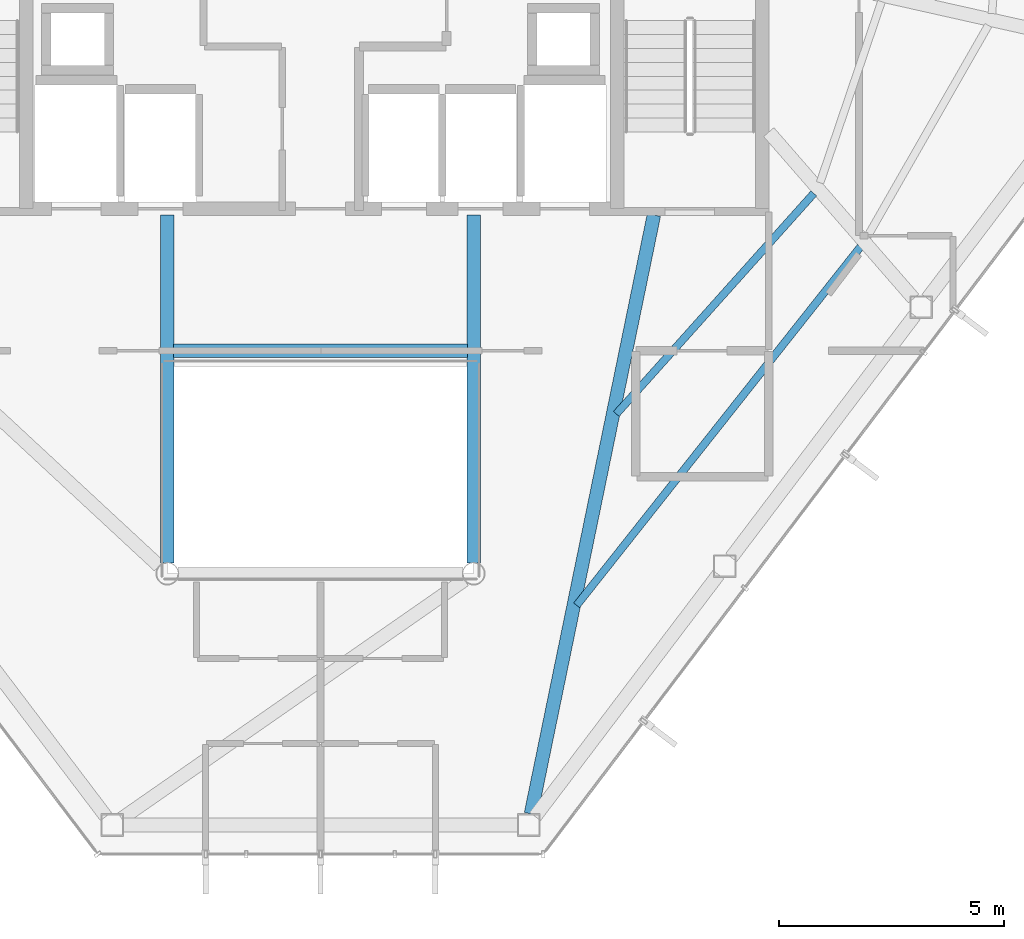
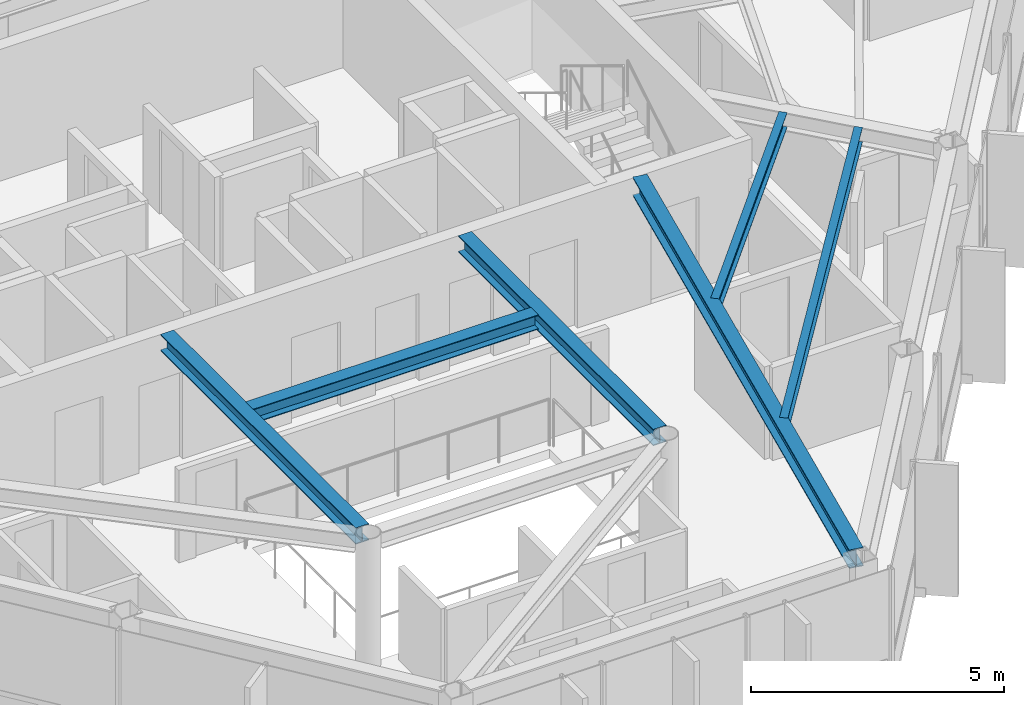
# One storey, part 7 of 26: 6 beams.
"""IFC4 building model written with IfcOpenShell, lengths in metres."""

import ifcopenshell
import ifcopenshell.guid

model = None  # the IFC model being written
_history = None  # IfcOwnerHistory: only IFC2X3 demands one
_inside = {}  # id of a spatial element -> (the spatial element, [elements in it])
_under = {}  # id of a project, library or spatial element -> (it, [spatial elements below it])
_declared = {}  # id of a project -> (the project, [libraries it declares])
_typed = {}  # id of a type object -> (the type object, [elements of that type])
_made_of = {}  # id of a material, layer set ... -> (it, [elements and type objects made of it])


def new_model(schema):
    """Start an empty IFC model of exactly this schema.

    Asked for "IFC4X3", IfcOpenShell would pick the latest addendum, in which some entities
    have other attributes; the version numbers below select the first issue.
    IFC2X3 requires an IfcOwnerHistory on every rooted entity: one is made here for all.
    """
    global model, _history
    if schema == "IFC4X3":
        model = ifcopenshell.file(schema_version=(4, 3, 0, 0))
    else:
        model = ifcopenshell.file(schema=schema)
    _inside.clear()
    _under.clear()
    _declared.clear()
    _typed.clear()
    _made_of.clear()
    _history = None
    if model.schema == "IFC2X3":
        org = make("IfcOrganization", Name="unknown")
        user = make(
            "IfcPersonAndOrganization",
            ThePerson=make("IfcPerson", FamilyName="unknown"),
            TheOrganization=org,
        )
        app = make(
            "IfcApplication",
            ApplicationDeveloper=org,
            Version="unknown",
            ApplicationFullName="unknown",
            ApplicationIdentifier="unknown",
        )
        _history = make(
            "IfcOwnerHistory",
            OwningUser=user,
            OwningApplication=app,
            ChangeAction="ADDED",
            CreationDate=0,
        )
    return model


def make(cls, **values):
    """One entity of the class cls with the attributes given. An attribute that is None is left unset."""
    return model.create_entity(
        cls, **{name: value for name, value in values.items() if value is not None}
    )


def rooted(cls, **values):
    """An entity with a GlobalId (a new one), such as an element, a storey or a relation."""
    return make(cls, GlobalId=ifcopenshell.guid.new(), OwnerHistory=_history, **values)


def si_unit(unit_type, name, prefix=None):
    """IfcSIUnit, for example si_unit("LENGTHUNIT", "METRE", prefix="MILLI")."""
    return make("IfcSIUnit", UnitType=unit_type, Prefix=prefix, Name=name)


def assignment(units):
    """IfcUnitAssignment: the units of a project."""
    return None if units is None else make("IfcUnitAssignment", Units=units)


def point(xyz):
    """IfcCartesianPoint."""
    return None if xyz is None else make("IfcCartesianPoint", Coordinates=xyz)


def direction(xyz):
    """IfcDirection."""
    return None if xyz is None else make("IfcDirection", DirectionRatios=xyz)


def frame(location, z_axis=None, x_axis=None):
    """IfcAxis2Placement3D, a coordinate frame: its origin and axes. An axis left out is left unset."""
    return make(
        "IfcAxis2Placement3D",
        Location=point(location),
        Axis=direction(z_axis),
        RefDirection=direction(x_axis),
    )


def frame_2d(location, x_axis=None):
    """IfcAxis2Placement2D, a coordinate frame in the plane: its origin and x axis."""
    return make(
        "IfcAxis2Placement2D", Location=point(location), RefDirection=direction(x_axis)
    )


def origin():
    """The frame at (0, 0, 0) with its axes left unset."""
    return frame((0.0, 0.0, 0.0))


def origin_2d():
    """The frame at (0, 0) in the plane with its x axis left unset."""
    return frame_2d((0.0, 0.0))


def place(relative_to, where):
    """IfcLocalPlacement: puts the frame where relative to a parent placement (None: the world)."""
    return make(
        "IfcLocalPlacement", PlacementRelTo=relative_to, RelativePlacement=where
    )


def context(
    kind, dimensions, precision=None, world=None, true_north=None, identifier=None
):
    """IfcGeometricRepresentationContext, for example the 3D "Model" context."""
    return make(
        "IfcGeometricRepresentationContext",
        ContextIdentifier=identifier,
        ContextType=kind,
        CoordinateSpaceDimension=dimensions,
        Precision=precision,
        WorldCoordinateSystem=world,
        TrueNorth=true_north,
    )


def subcontext(parent, identifier, kind, view, scale=None):
    """IfcGeometricRepresentationSubContext, for example "Body" below "Model"."""
    return make(
        "IfcGeometricRepresentationSubContext",
        ContextIdentifier=identifier,
        ContextType=kind,
        ParentContext=parent,
        TargetScale=scale,
        TargetView=view,
    )


def project(units=None, contexts=None):
    """IfcProject with its units and contexts."""
    return rooted(
        "IfcProject",
        Name="project",
        RepresentationContexts=contexts,
        UnitsInContext=assignment(units),
    )


def spatial(cls, under=None, at=None, **own):
    """A site, building, storey or space (cls), placed at a placement, below another one or the project."""
    s = rooted(cls, ObjectPlacement=at, **own)
    if under is not None:
        _under.setdefault(under.id(), (under, []))[1].append(s)
    return s


def profile(cls, at=None, kind="AREA", **sizes):
    """A parametric profile (cls). Its sizes go by their IFC names, for example OverallWidth=200.0."""
    return make(cls, ProfileType=kind, Position=at, **sizes)


def i_section(**sizes):
    """IfcIShapeProfileDef."""
    return profile("IfcIShapeProfileDef", **sizes)


def extrude(swept, where, along, depth):
    """IfcExtrudedAreaSolid: the profile swept, set in the frame where, extruded along a direction by depth."""
    return make(
        "IfcExtrudedAreaSolid",
        SweptArea=swept,
        Position=where,
        ExtrudedDirection=direction(along),
        Depth=depth,
    )


def shape(context_of_items, identifier, shape_type, items):
    """IfcShapeRepresentation: the items that make up one representation, for example the "Body"."""
    return make(
        "IfcShapeRepresentation",
        ContextOfItems=context_of_items,
        RepresentationIdentifier=identifier,
        RepresentationType=shape_type,
        Items=items,
    )


def material(Name=None, Category=None):
    """IfcMaterial."""
    return make("IfcMaterial", Name=Name, Category=Category)


def material_profile(
    of_material, cross_section, Name=None, Category=None, Priority=None
):
    """IfcMaterialProfile: a cross section and its material."""
    return make(
        "IfcMaterialProfile",
        Name=Name,
        Material=of_material,
        Profile=cross_section,
        Priority=Priority,
        Category=Category,
    )


def profile_set(profiles, Name=None, composite=None):
    """IfcMaterialProfileSet."""
    return make(
        "IfcMaterialProfileSet",
        Name=Name,
        MaterialProfiles=profiles,
        CompositeProfile=composite,
    )


def made_of(thing, what):
    """Note that an element or type object is made of a material, layer set ...; save() writes the relation."""
    if what is not None:
        _made_of.setdefault(what.id(), (what, []))[1].append(thing)
    return thing


def type_object(cls, material=None, **own):
    """A type object (cls), such as IfcWallType, which elements share."""
    return made_of(rooted(cls, **own), material)


def element(
    cls,
    number,
    at=None,
    inside=None,
    cuts=None,
    type_object=None,
    material=None,
    context=None,
    identifier="Body",
    shape_type=None,
    held_by="IfcProductDefinitionShape",
    body=None,
    shapes=None,
    **own,
):
    """One element of the class cls, such as IfcWall. Its Tag is "e" and its number.

    at: its placement. inside: the storey or other place that contains it. cuts: it is an
    opening in that element (IfcRelVoidsElement). A single representation is given by context,
    identifier, shape_type and body (its items); several are given by shapes. held_by: the class
    of the entity that holds the representations. save() writes the other relations.
    """
    e = rooted(cls, Tag="e%d" % number, ObjectPlacement=at, **own)
    if body is not None:
        shapes = [shape(context, identifier, shape_type, body)]
    if shapes is not None:
        e.Representation = make(held_by, Representations=shapes)
    if inside is not None:
        _inside.setdefault(inside.id(), (inside, []))[1].append(e)
    if cuts is not None:
        rooted(
            "IfcRelVoidsElement", RelatingBuildingElement=cuts, RelatedOpeningElement=e
        )
    if type_object is not None:
        _typed.setdefault(type_object.id(), (type_object, []))[1].append(e)
    return made_of(e, material)


def aggregate(whole, parts):
    """IfcRelAggregates: a whole, such as a stair, and the parts it consists of."""
    return rooted("IfcRelAggregates", RelatingObject=whole, RelatedObjects=parts)


def save(model, path):
    """Write the relations noted so far, then the file.

    IfcRelAggregates (storeys below a building ...), IfcRelContainedInSpatialStructure (elements
    in a storey), IfcRelDefinesByType, IfcRelAssociatesMaterial and IfcRelDeclares: one each for
    every whole, place, type object, material and project.
    """
    for whole, parts in _under.values():
        aggregate(whole, parts)
    for where, things in _inside.values():
        rooted(
            "IfcRelContainedInSpatialStructure",
            RelatedElements=things,
            RelatingStructure=where,
        )
    for kind, things in _typed.values():
        rooted("IfcRelDefinesByType", RelatedObjects=things, RelatingType=kind)
    for what, things in _made_of.values():
        rooted("IfcRelAssociatesMaterial", RelatedObjects=things, RelatingMaterial=what)
    for by, libraries in _declared.values():
        rooted("IfcRelDeclares", RelatingContext=by, RelatedDefinitions=libraries)
    model.write(path)


model = new_model("IFC4")

# Units and contexts
model_context = context("Model", 3, precision=1e-05, world=origin(), true_north=direction((0.0, 1.0)))
body_context = subcontext(model_context, "Body", "Model", "MODEL_VIEW")
ifc_project = project(units=[si_unit("LENGTHUNIT", "METRE"), si_unit("AREAUNIT", "SQUARE_METRE"), si_unit("VOLUMEUNIT", "CUBIC_METRE"), si_unit("PLANEANGLEUNIT", "RADIAN"), si_unit("MASSUNIT", "GRAM", prefix="KILO")], contexts=[model_context])

# Site, building, storey
site_placement = place(None, origin())
site = spatial("IfcSite", under=ifc_project, at=site_placement, CompositionType="ELEMENT")
building_placement = place(site_placement, origin())
building = spatial("IfcBuilding", under=site, at=building_placement, Name="Zarrinselat Tower", CompositionType="ELEMENT")
storey_placement = place(building_placement, frame((0.0, 0.0, 258.39990234375)))
storey = spatial("IfcBuildingStorey", under=building, at=storey_placement, Name="L65", CompositionType="ELEMENT", Elevation=258.39990234375)

# Beams
ifc_material_1 = material(Name="Steel S355J2", Category="steel")
ifc_material_profile_1 = material_profile(ifc_material_1, i_section(OverallWidth=0.300048828125, OverallDepth=0.35009765625, WebThickness=0.010009765625, FlangeThickness=0.017578125, at=origin_2d()), Name="HEA 360")
ifc_profile_set_1 = profile_set([ifc_material_profile_1], Name="Steel S355J2")
beam_type_1 = type_object("IfcBeamType", Name="BM-HEA360", PredefinedType="LINTEL", material=ifc_profile_set_1)
beam_1_placement = place(storey_placement, frame((35.139892578125, 30.14990234375, 3.005126953125), z_axis=(1.0, 0.0, 0.0), x_axis=(0.0, 1.0, 0.0)))
element("IfcBeam", 1, at=beam_1_placement, inside=storey, type_object=beam_type_1, Name="L65 Lift Lobby Ceiling Beam", PredefinedType="LINTEL", context=body_context, shape_type="SweptSolid", body=[
    extrude(i_section(OverallWidth=0.300048828125, OverallDepth=0.35009765625, WebThickness=0.010009765625, FlangeThickness=0.017578125, at=origin_2d()), origin(), (0.0, 0.0, 1.0), 6.52001953125),
])
ifc_material_2 = material(Name="Steel S355J2", Category="steel")
ifc_material_profile_2 = material_profile(ifc_material_2, i_section(OverallWidth=0.300048828125, OverallDepth=0.39990234375, WebThickness=0.013427734375, FlangeThickness=0.02392578125, at=origin_2d()), Name="HEB 400")
ifc_profile_set_2 = profile_set([ifc_material_profile_2], Name="Steel S355J2")
beam_type_2 = type_object("IfcBeamType", Name="BM-HEB400", PredefinedType="BEAM", material=ifc_profile_set_2)
for number, where, z_axis, x_axis, name in (
    (2, (35.0, 25.43994140625, 2.97998046875), (0.0, 1.0, 0.0), (-1.0, 0.0, 0.0), "L65 Atrium Edge Beam W"),
    (3, (41.800048828125, 25.43994140625, 2.97998046875), (0.0, 1.0, 0.0), (-1.0, 0.0, 0.0), "L65 Atrium Edge Beam E"),
):
    element("IfcBeam", number, at=place(storey_placement, frame(where, z_axis=z_axis, x_axis=x_axis)), inside=storey, type_object=beam_type_2, Name=name, PredefinedType="BEAM", context=body_context, shape_type="SweptSolid", body=[
        extrude(i_section(OverallWidth=0.300048828125, OverallDepth=0.39990234375, WebThickness=0.013427734375, FlangeThickness=0.02392578125, at=origin_2d()), origin(), (0.0, 0.0, 1.0), 7.719970703125),
    ])
ifc_material_3 = material(Name="Steel S355J2", Category="steel")
ifc_material_profile_3 = material_profile(ifc_material_3, i_section(OverallWidth=0.300048828125, OverallDepth=0.449951171875, WebThickness=0.013916015625, FlangeThickness=0.02587890625, at=origin_2d()), Name="HEB 450")
ifc_profile_set_3 = profile_set([ifc_material_profile_3], Name="Steel S355J2")
beam_type_3 = type_object("IfcBeamType", Name="BM-HEB450", PredefinedType="BEAM", material=ifc_profile_set_3)
beam_2_placement = place(storey_placement, frame((43.0703125, 19.867919921875, 2.955078125), z_axis=(0.201168590108, 0.979556633561, 0.0), x_axis=(-0.979556633561, 0.201168590108, 0.0)))
element("IfcBeam", 4, at=beam_2_placement, inside=storey, type_object=beam_type_3, Name="L65 Radial Primary Girder RG11", PredefinedType="BEAM", context=body_context, shape_type="SweptSolid", body=[
    extrude(i_section(OverallWidth=0.300048828125, OverallDepth=0.449951171875, WebThickness=0.013916015625, FlangeThickness=0.02587890625, at=origin_2d()), origin(), (0.0, 0.0, 1.0), 13.5693359375),
])
ifc_material_4 = material(Name="Steel S355J2", Category="steel")
ifc_material_profile_4 = material_profile(ifc_material_4, i_section(OverallWidth=0.169921875, OverallDepth=0.360107421875, WebThickness=0.008056640625, FlangeThickness=0.0126953125, at=origin_2d()), Name="IPE 360")
ifc_profile_set_4 = profile_set([ifc_material_profile_4], Name="Steel S355J2")
beam_type_4 = type_object("IfcBeamType", Name="BM-IPE360", PredefinedType="JOIST", material=ifc_profile_set_4)
beam_3_placement = place(storey_placement, frame((44.08544921875, 24.4970703125, 3.0), z_axis=(0.620693700803, 0.784053142194, 0.0), x_axis=(-0.784053142194, 0.620693700803, 0.0)))
element("IfcBeam", 5, at=beam_3_placement, inside=storey, type_object=beam_type_4, Name="L65 Composite Floor Joist 3-1", PredefinedType="JOIST", context=body_context, shape_type="SweptSolid", body=[
    extrude(i_section(OverallWidth=0.169921875, OverallDepth=0.360107421875, WebThickness=0.008056640625, FlangeThickness=0.0126953125, at=origin_2d()), origin(), (0.0, 0.0, 1.0), 10.147705078125),
])
beam_4_placement = place(storey_placement, frame((44.96533203125, 28.7451171875, 3.0), z_axis=(0.667137958681, 0.744934187755, 0.0), x_axis=(-0.744934187755, 0.667137958681, 0.0)))
element("IfcBeam", 6, at=beam_4_placement, inside=storey, type_object=beam_type_4, Name="L65 Composite Floor Joist 3-2", PredefinedType="JOIST", context=body_context, shape_type="SweptSolid", body=[
    extrude(i_section(OverallWidth=0.169921875, OverallDepth=0.360107421875, WebThickness=0.008056640625, FlangeThickness=0.0126953125, at=origin_2d()), origin(), (0.0, 0.0, 1.0), 6.5712890625),
])

save(model, "model.ifc")
